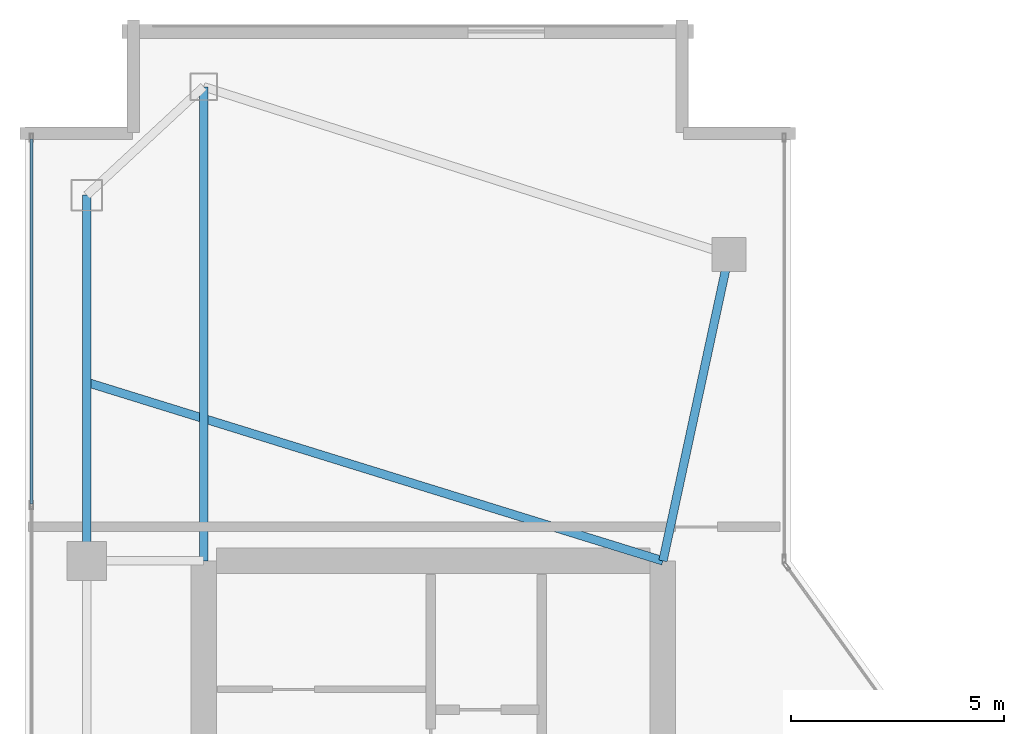
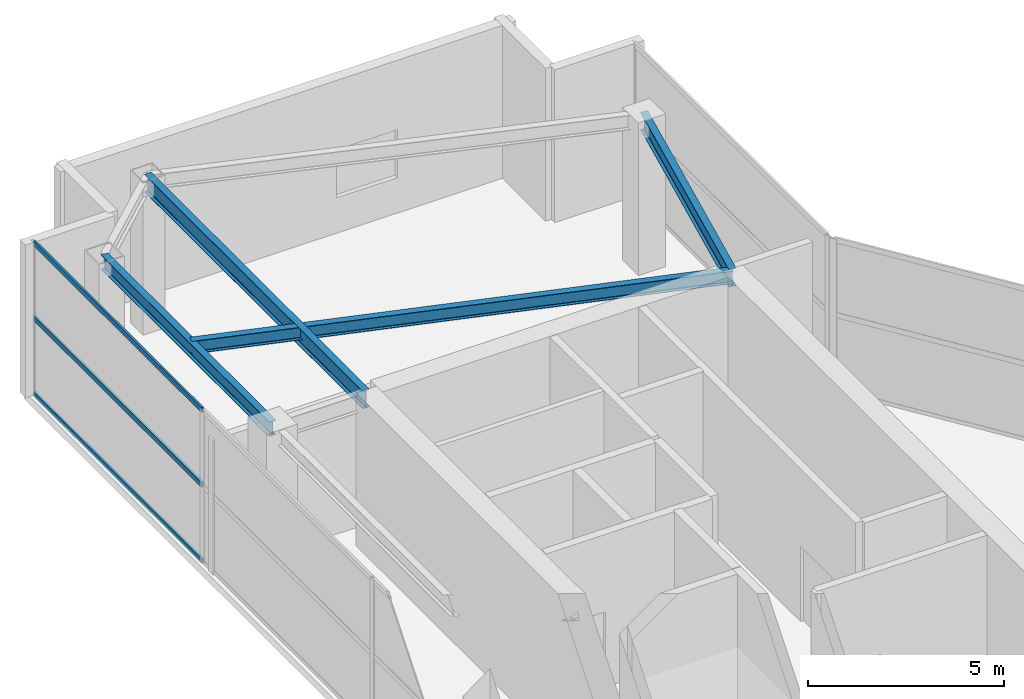
# One storey, part 14 of 21: 4 beams, 3 members, 1 element without a shape of its own.
"""IFC4 building model written with IfcOpenShell, lengths in metres."""

from ifc_helpers import new_model, si_unit, direction, frame, origin, origin_2d, place, context, subcontext, project, spatial, hollow_rectangle, i_section, extrude, material, layer, layer_set, material_profile, profile_set, type_object, element, aggregate, save


model = new_model("IFC4")

# Units and contexts
model_context = context("Model", 3, precision=1e-05, world=origin(), true_north=direction((0.0, 1.0)))
body_context = subcontext(model_context, "Body", "Model", "MODEL_VIEW")
ifc_project = project(units=[si_unit("LENGTHUNIT", "METRE"), si_unit("AREAUNIT", "SQUARE_METRE"), si_unit("VOLUMEUNIT", "CUBIC_METRE"), si_unit("PLANEANGLEUNIT", "RADIAN"), si_unit("MASSUNIT", "GRAM", prefix="KILO")], contexts=[model_context])

# Site, building, storey
site_placement = place(None, origin())
site = spatial("IfcSite", under=ifc_project, at=site_placement, CompositionType="ELEMENT")
building_placement = place(site_placement, origin())
building = spatial("IfcBuilding", under=site, at=building_placement, Name="Calvorn Quay Hotel", CompositionType="ELEMENT")
storey_placement = place(building_placement, frame((0.0, 0.0, 330.5)))
storey = spatial("IfcBuildingStorey", under=building, at=storey_placement, Name="L81", CompositionType="ELEMENT", Elevation=330.5)

# Beams
ifc_material_1 = material(Name="Steel Q355B", Category="steel")
ifc_material_profile_1 = material_profile(ifc_material_1, i_section(OverallWidth=0.199951171875, OverallDepth=0.550048828125, WebThickness=0.010009765625, FlangeThickness=0.01611328125, FilletRadius=0.01806640625, at=origin_2d()), Name="HN550x200x10x16")
ifc_profile_set_1 = profile_set([ifc_material_profile_1], Name="Steel Q355B")
beam_type_1 = type_object("IfcBeamType", Name="BM-GIRD-UPP", PredefinedType="BEAM", material=ifc_profile_set_1)
beam_1_placement = place(storey_placement, frame((4.199951171875, 49.550048828125, 4.465087890625), z_axis=(0.0, -1.0, 0.0), x_axis=(1.0, 0.0, 0.0)))
element("IfcBeam", 1, at=beam_1_placement, inside=storey, type_object=beam_type_1, Name="Beam BG-L81-W5", PredefinedType="BEAM", context=body_context, shape_type="SweptSolid", body=[
    extrude(i_section(OverallWidth=0.199951171875, OverallDepth=0.550048828125, WebThickness=0.010009765625, FlangeThickness=0.01611328125, FilletRadius=0.01806640625, at=origin_2d()), origin(), (0.0, 0.0, 1.0), 11.150146484375),
])
beam_2_placement = place(storey_placement, frame((16.550048828125, 45.60009765625, 4.465087890625), z_axis=(-0.210457140491, -0.97760308511, 0.0), x_axis=(0.97760308511, -0.210457140491, 0.0)))
element("IfcBeam", 2, at=beam_2_placement, inside=storey, type_object=beam_type_1, Name="Beam BG-L81-W6", PredefinedType="BEAM", context=body_context, shape_type="SweptSolid", body=[
    extrude(i_section(OverallWidth=0.199951171875, OverallDepth=0.550048828125, WebThickness=0.010009765625, FlangeThickness=0.01611328125, FilletRadius=0.01806640625, at=origin_2d()), origin(), (0.0, 0.0, 1.0), 7.365234375),
])
ifc_material_2 = material(Name="Steel Q355B", Category="steel")
ifc_material_profile_2 = material_profile(ifc_material_2, i_section(OverallWidth=0.199951171875, OverallDepth=0.39990234375, WebThickness=0.008056640625, FlangeThickness=0.012939453125, FilletRadius=0.01611328125, at=origin_2d()), Name="HN400x200x8x13")
ifc_profile_set_2 = profile_set([ifc_material_profile_2], Name="Steel Q355B")
beam_type_2 = type_object("IfcBeamType", Name="BM-JOIST-TYP", PredefinedType="JOIST", material=ifc_profile_set_2)
beam_3_placement = place(storey_placement, frame((1.449951171875, 42.60009765625, 4.5400390625), z_axis=(0.955163702122, -0.296078202759, 0.0), x_axis=(0.296078202759, 0.955163702122, 0.0)))
element("IfcBeam", 3, at=beam_3_placement, inside=storey, type_object=beam_type_2, Name="Beam BJ-L81-W2", PredefinedType="JOIST", context=body_context, shape_type="SweptSolid", body=[
    extrude(i_section(OverallWidth=0.199951171875, OverallDepth=0.39990234375, WebThickness=0.008056640625, FlangeThickness=0.012939453125, FilletRadius=0.01611328125, at=origin_2d()), origin(), (0.0, 0.0, 1.0), 14.18603515625),
])
ifc_material_3 = material(Name="Steel Q355B", Category="steel")
ifc_material_profile_3 = material_profile(ifc_material_3, i_section(OverallWidth=0.199951171875, OverallDepth=0.449951171875, WebThickness=0.009033203125, FlangeThickness=0.013916015625, FilletRadius=0.01611328125, at=origin_2d()), Name="HN450x200x9x14")
ifc_profile_set_3 = profile_set([ifc_material_profile_3], Name="Steel Q355B")
beam_type_3 = type_object("IfcBeamType", Name="BM-SPANDREL-Z3", PredefinedType="SPANDREL", material=ifc_profile_set_3)
beam_4_placement = place(storey_placement, frame((1.449951171875, 38.39990234375, 4.514892578125), z_axis=(0.0, 1.0, 0.0), x_axis=(-1.0, 0.0, 0.0)))
element("IfcBeam", 4, at=beam_4_placement, inside=storey, type_object=beam_type_3, Name="Beam BSP-L81-W4", PredefinedType="SPANDREL", context=body_context, shape_type="SweptSolid", body=[
    extrude(i_section(OverallWidth=0.199951171875, OverallDepth=0.449951171875, WebThickness=0.009033203125, FlangeThickness=0.013916015625, FilletRadius=0.01611328125, at=origin_2d()), origin(), (0.0, 0.0, 1.0), 8.60009765625),
])

# Curtain wall, members
ifc_material_4 = material(Name="Pale Anodised Aluminium and Laminated Glass", Category="aluminium")
ifc_layer = layer(ifc_material_4, 0.219970703125)
ifc_layer_set = layer_set([ifc_layer], Name="CW-SYS-CRN")
curtain_wall_type = type_object("IfcCurtainWallType", Name="CW-SYS-CRN", PredefinedType="NOTDEFINED", material=ifc_layer_set)
curtain_wall_placement = place(storey_placement, origin())
curtain_wall = element("IfcCurtainWall", 5, at=curtain_wall_placement, inside=storey, type_object=curtain_wall_type, Name="Crown Curtain Wall L81-C5", PredefinedType="NOTDEFINED")
ifc_material_5 = material(Name="Pale Anodised Aluminium 6063-T6", Category="aluminium")
ifc_material_profile_4 = material_profile(ifc_material_5, hollow_rectangle(XDim=0.06201171875, YDim=0.159912109375, WallThickness=0.00341796875, at=origin_2d()), Name="ALU-T160x62x3.5")
ifc_profile_set_4 = profile_set([ifc_material_profile_4], Name="Pale Anodised Aluminium 6063-T6")
member_type = type_object("IfcMemberType", Name="CW-SYS-CRN-TRN", PredefinedType="USERDEFINED", material=ifc_profile_set_4)
member_1_placement = place(storey_placement, frame((0.14990234375, 48.320068359375, 0.030029296875), z_axis=(0.0, -1.0, 0.0), x_axis=(1.0, 0.0, 0.0)))
member_1 = element("IfcMember", 6, at=member_1_placement, type_object=member_type, Name="CW-L81-C5 transom 1.1", ObjectType="TRANSOM", PredefinedType="USERDEFINED", context=body_context, shape_type="SweptSolid", body=[
    extrude(hollow_rectangle(XDim=0.06201171875, YDim=0.159912109375, WallThickness=0.00341796875, at=origin_2d()), origin(), (0.0, 0.0, 1.0), 8.58203125),
])
member_2_placement = place(storey_placement, frame((0.14990234375, 48.320068359375, 2.39990234375), z_axis=(0.0, -1.0, 0.0), x_axis=(1.0, 0.0, 0.0)))
member_2 = element("IfcMember", 7, at=member_2_placement, type_object=member_type, Name="CW-L81-C5 transom 1.2", ObjectType="TRANSOM", PredefinedType="USERDEFINED", context=body_context, shape_type="SweptSolid", body=[
    extrude(hollow_rectangle(XDim=0.06201171875, YDim=0.159912109375, WallThickness=0.00341796875, at=origin_2d()), origin(), (0.0, 0.0, 1.0), 8.58203125),
])
member_3_placement = place(storey_placement, frame((0.14990234375, 48.320068359375, 4.72998046875), z_axis=(0.0, -1.0, 0.0), x_axis=(1.0, 0.0, 0.0)))
member_3 = element("IfcMember", 8, at=member_3_placement, type_object=member_type, Name="CW-L81-C5 transom 1.3", ObjectType="TRANSOM", PredefinedType="USERDEFINED", context=body_context, shape_type="SweptSolid", body=[
    extrude(hollow_rectangle(XDim=0.06201171875, YDim=0.159912109375, WallThickness=0.00341796875, at=origin_2d()), origin(), (0.0, 0.0, 1.0), 8.58203125),
])
aggregate(curtain_wall, [member_1, member_2, member_3])

save(model, "model.ifc")
